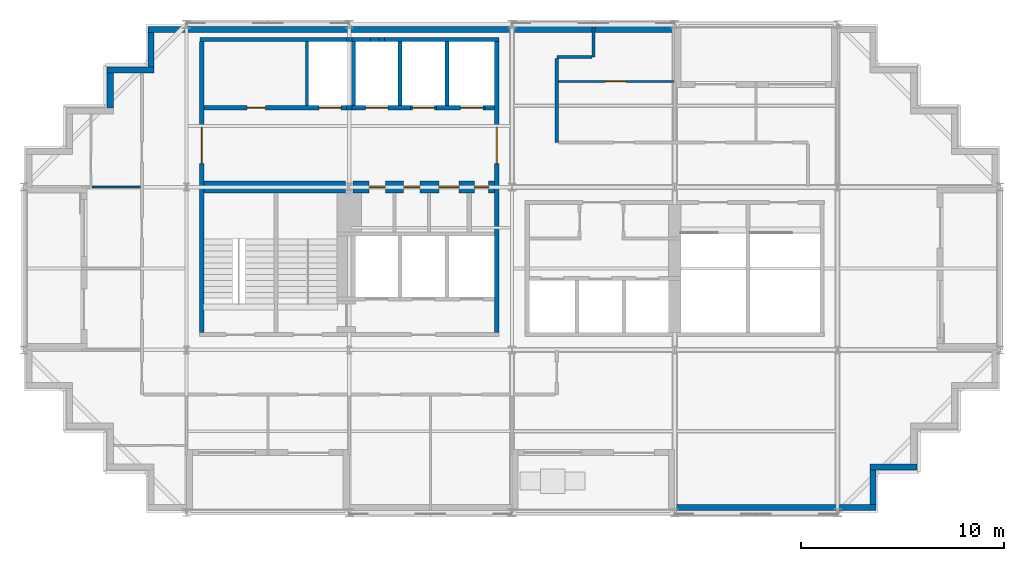
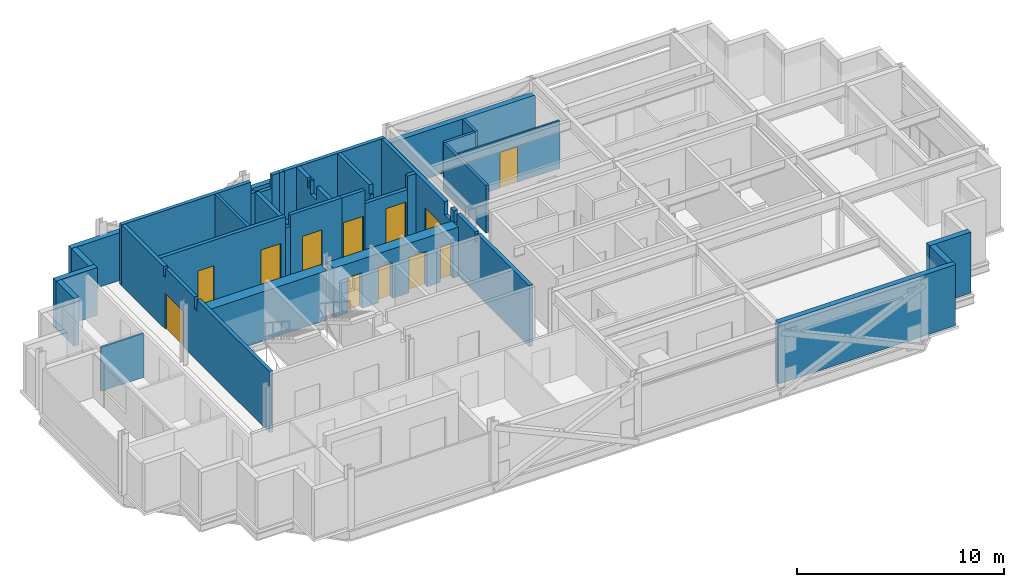
# One storey, part 6 of 10: 32 walls, 12 doors, 12 openings.
"""IFC4 building model written with IfcOpenShell, lengths in metres."""

from ifc_helpers import new_model, si_unit, direction, frame, frame_2d, origin, place, context, subcontext, project, spatial, polyline, rectangle, outline, extrude, material, layer, layer_set, type_object, element, fill, save


model = new_model("IFC4")

# Units and contexts
model_context = context("Model", 3, precision=1e-05, world=origin(), true_north=direction((0.0, 1.0)))
body_context = subcontext(model_context, "Body", "Model", "MODEL_VIEW")
ifc_project = project(units=[si_unit("LENGTHUNIT", "METRE"), si_unit("AREAUNIT", "SQUARE_METRE"), si_unit("VOLUMEUNIT", "CUBIC_METRE"), si_unit("PLANEANGLEUNIT", "RADIAN"), si_unit("MASSUNIT", "GRAM", prefix="KILO")], contexts=[model_context])

# Site, building, storey
site_placement = place(None, origin())
site = spatial("IfcSite", under=ifc_project, at=site_placement, CompositionType="ELEMENT")
building_placement = place(site_placement, origin())
building = spatial("IfcBuilding", under=site, at=building_placement, Name="Immortelle Media Tower", CompositionType="ELEMENT")
storey_placement = place(building_placement, frame((0.0, 0.0, 295.0)))
storey = spatial("IfcBuildingStorey", under=building, at=storey_placement, Name="L65", CompositionType="ELEMENT", Elevation=295.0)

# Wall, openings, doors
ifc_material_1 = material(Name="Fire-rated masonry blockwork", Category="masonry")
ifc_layer_1 = layer(ifc_material_1, 0.60009765625)
ifc_layer_set_1 = layer_set([ifc_layer_1], Name="Fire-rated masonry blockwork")
wall_type_1 = type_object("IfcWallType", Name="Core grid-line wall 600", PredefinedType="PARTITIONING", material=ifc_layer_set_1)
wall_1_placement = place(storey_placement, frame((16.19140625, 16.0, 0.0), z_axis=(0.0, 0.0, 1.0), x_axis=(1.0, 0.0, 0.0)))
wall_1 = element("IfcWall", 1, at=wall_1_placement, inside=storey, type_object=wall_type_1, Name="Core grid-line wall SW", PredefinedType="PARTITIONING", context=body_context, shape_type="SweptSolid", body=[
    extrude(rectangle(XDim=6.95849609375, YDim=0.60009765625, at=frame_2d((3.479248046875, 0.0))), origin(), (0.0, 0.0, 1.0), 2.916015625),
])
opening_1_placement = place(wall_1_placement, frame((1.58349609375, 0.0, 0.0), z_axis=(0.0, 0.0, 1.0), x_axis=(-1.0, 0.0, 0.0)))
opening_1 = element("IfcOpeningElement", 2, at=opening_1_placement, cuts=wall_1, Name="Opening X6-K027", PredefinedType="OPENING", context=body_context, shape_type="SweptSolid", body=[
    extrude(rectangle(XDim=0.800048828125, YDim=2.10009765625, at=frame_2d((0.39990234375, 1.050048828125))), frame((0.0, 0.31005859375, 0.0), z_axis=(0.0, -1.0, 0.0), x_axis=(1.0, 0.0, 0.0)), (0.0, 0.0, 1.0), 0.6201171875),
])
opening_2_placement = place(wall_1_placement, frame((3.283447265625, 0.0, 0.0), z_axis=(0.0, 0.0, 1.0), x_axis=(-1.0, 0.0, 0.0)))
opening_2 = element("IfcOpeningElement", 3, at=opening_2_placement, cuts=wall_1, Name="Opening X6-K028", PredefinedType="OPENING", context=body_context, shape_type="SweptSolid", body=[
    extrude(rectangle(XDim=0.800048828125, YDim=2.10009765625, at=frame_2d((0.39990234375, 1.050048828125))), frame((0.0, 0.31005859375, 0.0), z_axis=(0.0, -1.0, 0.0), x_axis=(1.0, 0.0, 0.0)), (0.0, 0.0, 1.0), 0.6201171875),
])
opening_3_placement = place(wall_1_placement, frame((5.20849609375, 0.0, 0.0), z_axis=(0.0, 0.0, 1.0), x_axis=(-1.0, 0.0, 0.0)))
opening_3 = element("IfcOpeningElement", 4, at=opening_3_placement, cuts=wall_1, Name="Opening X6-K029", PredefinedType="OPENING", context=body_context, shape_type="SweptSolid", body=[
    extrude(rectangle(XDim=1.0, YDim=2.10009765625, at=frame_2d((0.5, 1.050048828125))), frame((0.0, 0.31005859375, 0.0), z_axis=(0.0, -1.0, 0.0), x_axis=(1.0, 0.0, 0.0)), (0.0, 0.0, 1.0), 0.6201171875),
])
opening_4_placement = place(wall_1_placement, frame((6.658447265625, 0.0, 0.0), z_axis=(0.0, 0.0, 1.0), x_axis=(-1.0, 0.0, 0.0)))
opening_4 = element("IfcOpeningElement", 5, at=opening_4_placement, cuts=wall_1, Name="Opening X6-K018", PredefinedType="OPENING", context=body_context, shape_type="SweptSolid", body=[
    extrude(rectangle(XDim=0.699951171875, YDim=2.10009765625, at=frame_2d((0.35009765625, 1.050048828125))), frame((0.0, 0.31005859375, 0.0), z_axis=(0.0, -1.0, 0.0), x_axis=(1.0, 0.0, 0.0)), (0.0, 0.0, 1.0), 0.6201171875),
])
ifc_material_2 = material(Name="Timber", Category="wood")
door_type_1 = type_object("IfcDoorType", Name="Accessible toilet door 1000 x 2100", OperationType="NOTDEFINED", PredefinedType="NOTDEFINED", material=ifc_material_2)
door_1_placement = place(opening_3_placement, origin())
door_1 = element("IfcDoor", 6, at=door_1_placement, inside=storey, type_object=door_type_1, Name="Accessible toilet X6-K029", OperationType="SINGLE_SWING_RIGHT", OverallHeight=2.10009765625, OverallWidth=1.0, PredefinedType="NOTDEFINED", context=body_context, shape_type="SweptSolid", body=[
    extrude(rectangle(XDim=1.0, YDim=2.10009765625, at=frame_2d((0.5, 1.050048828125))), frame((0.0, 0.02490234375, 0.0), z_axis=(0.0, -1.0, 0.0), x_axis=(1.0, 0.0, 0.0)), (0.0, 0.0, 1.0), 0.050048828125),
])
fill(opening_3, door_1)
ifc_material_3 = material(Name="Galvanised steel door leaf and frame ASTM A653", Category="steel")
door_type_2 = type_object("IfcDoorType", Name="Service door 700 x 2100", OperationType="NOTDEFINED", PredefinedType="NOTDEFINED", material=ifc_material_3)
door_2_placement = place(opening_4_placement, origin())
door_2 = element("IfcDoor", 7, at=door_2_placement, inside=storey, type_object=door_type_2, Name="Service X6-K018", OperationType="SINGLE_SWING_LEFT", OverallHeight=2.10009765625, OverallWidth=0.699951171875, PredefinedType="NOTDEFINED", context=body_context, shape_type="SweptSolid", body=[
    extrude(rectangle(XDim=0.699951171875, YDim=2.10009765625, at=frame_2d((0.35009765625, 1.050048828125))), frame((0.0, 0.02490234375, 0.0), z_axis=(0.0, -1.0, 0.0), x_axis=(1.0, 0.0, 0.0)), (0.0, 0.0, 1.0), 0.050048828125),
])
fill(opening_4, door_2)
door_type_3 = type_object("IfcDoorType", Name="Toilet door 800 x 2100", OperationType="NOTDEFINED", PredefinedType="NOTDEFINED", material=ifc_material_2)
door_3_placement = place(opening_1_placement, origin())
door_3 = element("IfcDoor", 8, at=door_3_placement, inside=storey, type_object=door_type_3, Name="Toilet X6-K027", OperationType="SINGLE_SWING_LEFT", OverallHeight=2.10009765625, OverallWidth=0.800048828125, PredefinedType="NOTDEFINED", context=body_context, shape_type="SweptSolid", body=[
    extrude(rectangle(XDim=0.800048828125, YDim=2.10009765625, at=frame_2d((0.39990234375, 1.050048828125))), frame((0.0, 0.02490234375, 0.0), z_axis=(0.0, -1.0, 0.0), x_axis=(1.0, 0.0, 0.0)), (0.0, 0.0, 1.0), 0.050048828125),
])
fill(opening_1, door_3)
door_4_placement = place(opening_2_placement, origin())
door_4 = element("IfcDoor", 9, at=door_4_placement, inside=storey, type_object=door_type_3, Name="Toilet X6-K028", OperationType="SINGLE_SWING_LEFT", OverallHeight=2.10009765625, OverallWidth=0.800048828125, PredefinedType="NOTDEFINED", context=body_context, shape_type="SweptSolid", body=[
    extrude(rectangle(XDim=0.800048828125, YDim=2.10009765625, at=frame_2d((0.39990234375, 1.050048828125))), frame((0.0, 0.02490234375, 0.0), z_axis=(0.0, -1.0, 0.0), x_axis=(1.0, 0.0, 0.0)), (0.0, 0.0, 1.0), 0.050048828125),
])
fill(opening_2, door_4)

# Walls
ifc_material_4 = material(Name="Fire-rated gypsum board", Category="gypsum")
ifc_layer_2 = layer(ifc_material_4, 0.02490234375)
ifc_material_5 = material(Name="Steel ASTM A653 SS Gr 50 stud frame with mineral wool", Category="steel")
ifc_layer_3 = layer(ifc_material_5, 0.10009765625)
ifc_layer_4 = layer(ifc_material_4, 0.02490234375)
ifc_layer_set_2 = layer_set([ifc_layer_2, ifc_layer_3, ifc_layer_4], Name="Steel ASTM A653 SS Gr 50 stud frame with mineral wool")
wall_type_2 = type_object("IfcWallType", Name="Core partition 150", PredefinedType="PARTITIONING", material=ifc_layer_set_2)
wall_2_placement = place(storey_placement, frame((13.925048828125, 20.0, 0.0), z_axis=(0.0, 0.0, 1.0), x_axis=(0.0, 1.0, 0.0)))
element("IfcWall", 10, at=wall_2_placement, inside=storey, type_object=wall_type_2, Name="Core partition SW", PredefinedType="PARTITIONING", context=body_context, shape_type="SweptSolid", body=[
    extrude(rectangle(XDim=3.14990234375, YDim=0.14990234375, at=frame_2d((1.574951171875, 0.0))), origin(), (0.0, 0.0, 1.0), 3.60009765625),
])
ifc_layer_5 = layer(ifc_material_4, 0.03759765625)
ifc_layer_6 = layer(ifc_material_5, 0.125)
ifc_layer_7 = layer(ifc_material_4, 0.03759765625)
ifc_layer_set_3 = layer_set([ifc_layer_5, ifc_layer_6, ifc_layer_7], Name="Steel ASTM A653 SS Gr 50 stud frame with mineral wool")
wall_type_3 = type_object("IfcWallType", Name="Core shaft wall 200", PredefinedType="PARTITIONING", material=ifc_layer_set_3)
wall_3_placement = place(storey_placement, frame((8.64990234375, 23.25, 0.0), z_axis=(0.0, 0.0, 1.0), x_axis=(1.0, 0.0, 0.0)))
element("IfcWall", 11, at=wall_3_placement, inside=storey, type_object=wall_type_3, Name="Core shaft wall SW", PredefinedType="PARTITIONING", context=body_context, shape_type="SweptSolid", body=[
    extrude(rectangle(XDim=7.219482421875, YDim=0.199951171875, at=frame_2d((3.60986328125, 0.0))), origin(), (0.0, 0.0, 1.0), 3.60009765625),
])
wall_4_placement = place(storey_placement, frame((15.869384765625, 23.25, 0.0), z_axis=(0.0, 0.0, 1.0), x_axis=(1.0, 0.0, 0.0)))
element("IfcWall", 12, at=wall_4_placement, inside=storey, type_object=wall_type_3, Name="Core shaft wall SW", PredefinedType="PARTITIONING", context=body_context, shape_type="SweptSolid", body=[
    extrude(rectangle(XDim=0.26123046875, YDim=0.199951171875, at=frame_2d((0.130615234375, 0.0))), origin(), (0.0, 0.0, 1.0), 2.916015625),
])
wall_5_placement = place(storey_placement, frame((16.130615234375, 23.25, 0.0), z_axis=(0.0, 0.0, 1.0), x_axis=(1.0, 0.0, 0.0)))
element("IfcWall", 13, at=wall_5_placement, inside=storey, type_object=wall_type_3, Name="Core shaft wall SW", PredefinedType="PARTITIONING", context=body_context, shape_type="SweptSolid", body=[
    extrude(rectangle(XDim=0.909423828125, YDim=0.199951171875, at=frame_2d((0.45458984375, 0.0))), origin(), (0.0, 0.0, 1.0), 2.81396484375),
])
wall_6_placement = place(storey_placement, frame((17.0400390625, 23.25, 0.0), z_axis=(0.0, 0.0, 1.0), x_axis=(1.0, 0.0, 0.0)))
element("IfcWall", 14, at=wall_6_placement, inside=storey, type_object=wall_type_3, Name="Core shaft wall SW", PredefinedType="PARTITIONING", context=body_context, shape_type="SweptSolid", body=[
    extrude(rectangle(XDim=0.430908203125, YDim=0.199951171875, at=frame_2d((0.21533203125, 0.0))), origin(), (0.0, 0.0, 1.0), 3.60009765625),
])
wall_7_placement = place(storey_placement, frame((17.470947265625, 23.25, 0.0), z_axis=(0.0, 0.0, 1.0), x_axis=(1.0, 0.0, 0.0)))
element("IfcWall", 15, at=wall_7_placement, inside=storey, type_object=wall_type_3, Name="Core shaft wall SW", PredefinedType="PARTITIONING", context=body_context, shape_type="SweptSolid", body=[
    extrude(rectangle(XDim=0.258056640625, YDim=0.199951171875, at=frame_2d((0.12890625, 0.0))), origin(), (0.0, 0.0, 1.0), 3.60009765625),
])
wall_8_placement = place(storey_placement, frame((17.72900390625, 23.25, 0.0), z_axis=(0.0, 0.0, 1.0), x_axis=(1.0, 0.0, 0.0)))
element("IfcWall", 16, at=wall_8_placement, inside=storey, type_object=wall_type_3, Name="Core shaft wall SW", PredefinedType="PARTITIONING", context=body_context, shape_type="SweptSolid", body=[
    extrude(rectangle(XDim=5.62109375, YDim=0.199951171875, at=frame_2d((2.810546875, 0.0))), origin(), (0.0, 0.0, 1.0), 3.60009765625),
])

# Wall, openings, doors
wall_9_placement = place(storey_placement, frame((8.85009765625, 19.89990234375, 0.0), z_axis=(0.0, 0.0, 1.0), x_axis=(1.0, 0.0, 0.0)))
wall_9 = element("IfcWall", 17, at=wall_9_placement, inside=storey, type_object=wall_type_3, Name="Core shaft wall SW", PredefinedType="PARTITIONING", context=body_context, shape_type="SweptSolid", body=[
    extrude(rectangle(XDim=7.019287109375, YDim=0.199951171875, at=frame_2d((3.509765625, 0.0))), origin(), (0.0, 0.0, 1.0), 3.60009765625),
])
opening_5_placement = place(wall_9_placement, frame((2.125, 0.0, 0.0)))
opening_5 = element("IfcOpeningElement", 18, at=opening_5_placement, cuts=wall_9, Name="Opening X6-K003", PredefinedType="OPENING", context=body_context, shape_type="SweptSolid", body=[
    extrude(rectangle(XDim=0.89990234375, YDim=2.10009765625, at=frame_2d((0.449951171875, 1.050048828125))), frame((0.0, 0.10986328125, 0.0), z_axis=(0.0, -1.0, 0.0), x_axis=(1.0, 0.0, 0.0)), (0.0, 0.0, 1.0), 0.219970703125),
])
opening_6_placement = place(wall_9_placement, frame((5.64990234375, 0.0, 0.0)))
opening_6 = element("IfcOpeningElement", 19, at=opening_6_placement, cuts=wall_9, Name="Opening LD", PredefinedType="OPENING", context=body_context, shape_type="SweptSolid", body=[
    extrude(rectangle(XDim=1.10009765625, YDim=2.10009765625, at=frame_2d((0.550048828125, 1.050048828125))), frame((0.0, 0.10986328125, 0.0), z_axis=(0.0, -1.0, 0.0), x_axis=(1.0, 0.0, 0.0)), (0.0, 0.0, 1.0), 0.219970703125),
])
ifc_material_6 = material(Name="Stainless steel AISI 304", Category="steel")
door_type_4 = type_object("IfcDoorType", Name="Landing door 1100 x 2100", OperationType="SLIDING_TO_LEFT", PredefinedType="NOTDEFINED", material=ifc_material_6)
door_5_placement = place(opening_6_placement, origin())
door_5 = element("IfcDoor", 20, at=door_5_placement, inside=storey, type_object=door_type_4, Name="Landing door HR1 L65", OperationType="SLIDING_TO_LEFT", OverallHeight=2.10009765625, OverallWidth=1.10009765625, PredefinedType="NOTDEFINED", context=body_context, shape_type="SweptSolid", body=[
    extrude(rectangle(XDim=1.10009765625, YDim=2.10009765625, at=frame_2d((0.550048828125, 1.050048828125))), frame((0.0, 0.02490234375, 0.0), z_axis=(0.0, -1.0, 0.0), x_axis=(1.0, 0.0, 0.0)), (0.0, 0.0, 1.0), 0.050048828125),
])
fill(opening_6, door_5)
door_type_5 = type_object("IfcDoorType", Name="Room door 900 x 2100", OperationType="NOTDEFINED", PredefinedType="NOTDEFINED", material=ifc_material_2)
door_6_placement = place(opening_5_placement, origin())
door_6 = element("IfcDoor", 21, at=door_6_placement, inside=storey, type_object=door_type_5, Name="Room X6-K003", OperationType="SINGLE_SWING_RIGHT", OverallHeight=2.10009765625, OverallWidth=0.89990234375, PredefinedType="NOTDEFINED", context=body_context, shape_type="SweptSolid", body=[
    extrude(rectangle(XDim=0.89990234375, YDim=2.10009765625, at=frame_2d((0.449951171875, 1.050048828125))), frame((0.0, 0.02490234375, 0.0), z_axis=(0.0, -1.0, 0.0), x_axis=(1.0, 0.0, 0.0)), (0.0, 0.0, 1.0), 0.050048828125),
])
fill(opening_5, door_6)

# Wall
wall_10_placement = place(storey_placement, frame((15.869384765625, 19.89990234375, 0.0), z_axis=(0.0, 0.0, 1.0), x_axis=(1.0, 0.0, 0.0)))
element("IfcWall", 22, at=wall_10_placement, inside=storey, type_object=wall_type_3, Name="Core shaft wall SW", PredefinedType="PARTITIONING", context=body_context, shape_type="SweptSolid", body=[
    extrude(rectangle(XDim=0.26123046875, YDim=0.199951171875, at=frame_2d((0.130615234375, 0.0))), origin(), (0.0, 0.0, 1.0), 2.916015625),
])

# Wall, opening, door
wall_11_placement = place(storey_placement, frame((16.130615234375, 19.89990234375, 0.0), z_axis=(0.0, 0.0, 1.0), x_axis=(1.0, 0.0, 0.0)))
wall_11 = element("IfcWall", 23, at=wall_11_placement, inside=storey, type_object=wall_type_3, Name="Core shaft wall SW", PredefinedType="PARTITIONING", context=body_context, shape_type="SweptSolid", body=[
    extrude(rectangle(XDim=2.869384765625, YDim=0.199951171875, at=frame_2d((1.4345703125, 0.0))), origin(), (0.0, 0.0, 1.0), 3.60009765625),
])
opening_7_placement = place(wall_11_placement, frame((0.66943359375, 0.0, 0.0)))
opening_7 = element("IfcOpeningElement", 24, at=opening_7_placement, cuts=wall_11, Name="Opening LD", PredefinedType="OPENING", context=body_context, shape_type="SweptSolid", body=[
    extrude(rectangle(XDim=1.10009765625, YDim=2.10009765625, at=frame_2d((0.550048828125, 1.050048828125))), frame((0.0, 0.10986328125, 0.0), z_axis=(0.0, -1.0, 0.0), x_axis=(1.0, 0.0, 0.0)), (0.0, 0.0, 1.0), 0.219970703125),
])
door_7_placement = place(opening_7_placement, origin())
door_7 = element("IfcDoor", 25, at=door_7_placement, inside=storey, type_object=door_type_4, Name="Landing door HR2 L65", OperationType="SLIDING_TO_LEFT", OverallHeight=2.10009765625, OverallWidth=1.10009765625, PredefinedType="NOTDEFINED", context=body_context, shape_type="SweptSolid", body=[
    extrude(rectangle(XDim=1.10009765625, YDim=2.10009765625, at=frame_2d((0.550048828125, 1.050048828125))), frame((0.0, 0.02490234375, 0.0), z_axis=(0.0, -1.0, 0.0), x_axis=(1.0, 0.0, 0.0)), (0.0, 0.0, 1.0), 0.050048828125),
])
fill(opening_7, door_7)

wall_12_placement = place(storey_placement, frame((19.0, 19.89990234375, 0.0), z_axis=(0.0, 0.0, 1.0), x_axis=(1.0, 0.0, 0.0)))
wall_12 = element("IfcWall", 26, at=wall_12_placement, inside=storey, type_object=wall_type_3, Name="Core shaft wall SW", PredefinedType="PARTITIONING", context=body_context, shape_type="SweptSolid", body=[
    extrude(rectangle(XDim=1.300048828125, YDim=0.199951171875, at=frame_2d((0.64990234375, 0.0))), origin(), (0.0, 0.0, 1.0), 3.60009765625),
])
opening_8_placement = place(wall_12_placement, frame((0.10009765625, 0.0, 0.0)))
opening_8 = element("IfcOpeningElement", 27, at=opening_8_placement, cuts=wall_12, Name="Opening LD", PredefinedType="OPENING", context=body_context, shape_type="SweptSolid", body=[
    extrude(rectangle(XDim=1.10009765625, YDim=2.10009765625, at=frame_2d((0.550048828125, 1.050048828125))), frame((0.0, 0.10986328125, 0.0), z_axis=(0.0, -1.0, 0.0), x_axis=(1.0, 0.0, 0.0)), (0.0, 0.0, 1.0), 0.219970703125),
])
door_8_placement = place(opening_8_placement, origin())
door_8 = element("IfcDoor", 28, at=door_8_placement, inside=storey, type_object=door_type_4, Name="Landing door HR3 L65", OperationType="SLIDING_TO_LEFT", OverallHeight=2.10009765625, OverallWidth=1.10009765625, PredefinedType="NOTDEFINED", context=body_context, shape_type="SweptSolid", body=[
    extrude(rectangle(XDim=1.10009765625, YDim=2.10009765625, at=frame_2d((0.550048828125, 1.050048828125))), frame((0.0, 0.02490234375, 0.0), z_axis=(0.0, -1.0, 0.0), x_axis=(1.0, 0.0, 0.0)), (0.0, 0.0, 1.0), 0.050048828125),
])
fill(opening_8, door_8)

wall_13_placement = place(storey_placement, frame((20.300048828125, 19.89990234375, 0.0), z_axis=(0.0, 0.0, 1.0), x_axis=(1.0, 0.0, 0.0)))
wall_13 = element("IfcWall", 29, at=wall_13_placement, inside=storey, type_object=wall_type_3, Name="Core shaft wall SW", PredefinedType="PARTITIONING", context=body_context, shape_type="SweptSolid", body=[
    extrude(rectangle(XDim=2.375, YDim=0.199951171875, at=frame_2d((1.1875, 0.0))), origin(), (0.0, 0.0, 1.0), 2.81396484375),
])
opening_9_placement = place(wall_13_placement, frame((1.175048828125, 0.0, 0.0)))
opening_9 = element("IfcOpeningElement", 30, at=opening_9_placement, cuts=wall_13, Name="Opening LD", PredefinedType="OPENING", context=body_context, shape_type="SweptSolid", body=[
    extrude(rectangle(XDim=1.10009765625, YDim=2.10009765625, at=frame_2d((0.550048828125, 1.050048828125))), frame((0.0, 0.10986328125, 0.0), z_axis=(0.0, -1.0, 0.0), x_axis=(1.0, 0.0, 0.0)), (0.0, 0.0, 1.0), 0.219970703125),
])
door_9_placement = place(opening_9_placement, origin())
door_9 = element("IfcDoor", 31, at=door_9_placement, inside=storey, type_object=door_type_4, Name="Landing door HR4 L65", OperationType="SLIDING_TO_LEFT", OverallHeight=2.10009765625, OverallWidth=1.10009765625, PredefinedType="NOTDEFINED", context=body_context, shape_type="SweptSolid", body=[
    extrude(rectangle(XDim=1.10009765625, YDim=2.10009765625, at=frame_2d((0.550048828125, 1.050048828125))), frame((0.0, 0.02490234375, 0.0), z_axis=(0.0, -1.0, 0.0), x_axis=(1.0, 0.0, 0.0)), (0.0, 0.0, 1.0), 0.050048828125),
])
fill(opening_9, door_9)

# Walls
wall_14_placement = place(storey_placement, frame((22.675048828125, 19.89990234375, 0.0), z_axis=(0.0, 0.0, 1.0), x_axis=(1.0, 0.0, 0.0)))
element("IfcWall", 32, at=wall_14_placement, inside=storey, type_object=wall_type_3, Name="Core shaft wall SW", PredefinedType="PARTITIONING", context=body_context, shape_type="SweptSolid", body=[
    extrude(rectangle(XDim=0.474853515625, YDim=0.199951171875, at=frame_2d((0.2373046875, 0.0))), origin(), (0.0, 0.0, 1.0), 3.60009765625),
])
wall_15_placement = place(storey_placement, frame((16.199951171875, 20.0, 0.0), z_axis=(0.0, 0.0, 1.0), x_axis=(0.0, 1.0, 0.0)))
element("IfcWall", 33, at=wall_15_placement, inside=storey, type_object=wall_type_3, Name="Core shaft wall SW", PredefinedType="PARTITIONING", context=body_context, shape_type="SweptSolid", body=[
    extrude(rectangle(XDim=3.14990234375, YDim=0.199951171875, at=frame_2d((1.574951171875, 0.0))), origin(), (0.0, 0.0, 1.0), 2.916015625),
])
wall_16_placement = place(storey_placement, frame((18.5, 20.0, 0.0), z_axis=(0.0, 0.0, 1.0), x_axis=(0.0, 1.0, 0.0)))
element("IfcWall", 34, at=wall_16_placement, inside=storey, type_object=wall_type_3, Name="Core shaft wall SW", PredefinedType="PARTITIONING", context=body_context, shape_type="SweptSolid", body=[
    extrude(outline(polyline([(0.0, 0.0), (3.14990234375, 0.0), (3.14990234375, 3.60009765625), (2.08837890625, 3.60009765625), (2.08740234375, 3.05810546875), (1.91259765625, 3.05810546875), (1.91162109375, 3.60009765625), (1.791015625, 3.60009765625), (1.7900390625, 2.81396484375), (1.2099609375, 2.81396484375), (1.208984375, 3.60009765625), (0.0, 3.60009765625), (0.0, 0.0)])), frame((0.0, 0.10009765625, 0.0), z_axis=(0.0, -1.0, 0.0), x_axis=(1.0, 0.0, 0.0)), (0.0, 0.0, 1.0), 0.199951171875),
])
wall_17_placement = place(storey_placement, frame((20.800048828125, 20.0, 0.0), z_axis=(0.0, 0.0, 1.0), x_axis=(0.0, 1.0, 0.0)))
element("IfcWall", 35, at=wall_17_placement, inside=storey, type_object=wall_type_3, Name="Core shaft wall SW", PredefinedType="PARTITIONING", context=body_context, shape_type="SweptSolid", body=[
    extrude(outline(polyline([(0.0, 0.0), (3.14990234375, 0.0), (3.14990234375, 3.60009765625), (0.08837890625, 3.60009765625), (0.08740234375, 3.05810546875), (0.0, 3.05810546875), (0.0, 0.0)])), frame((0.0, 0.10009765625, 0.0), z_axis=(0.0, -1.0, 0.0), x_axis=(1.0, 0.0, 0.0)), (0.0, 0.0, 1.0), 0.199951171875),
])

# Wall, opening, door
wall_18_placement = place(storey_placement, frame((23.25, 8.85009765625, 0.0), z_axis=(0.0, 0.0, 1.0), x_axis=(0.0, 1.0, 0.0)))
wall_18 = element("IfcWall", 36, at=wall_18_placement, inside=storey, type_object=wall_type_3, Name="Core shaft wall SW", PredefinedType="PARTITIONING", context=body_context, shape_type="SweptSolid", body=[
    extrude(outline(polyline([(0.0, 0.0), (14.2998046875, 0.0), (14.300048828125, 3.60009765625), (8.19091796875, 3.60009765625), (8.18994140625, 2.81396484375), (7.610107421875, 2.81396484375), (7.609130859375, 3.60009765625), (7.281494140625, 3.60009765625), (7.280517578125, 2.916015625), (7.01953125, 2.916015625), (7.0185546875, 3.60009765625), (5.238525390625, 3.60009765625), (5.237548828125, 3.05810546875), (5.0625, 3.05810546875), (5.0615234375, 3.60009765625), (0.0, 3.60009765625), (0.0, 0.0)])), frame((0.0, 0.10009765625, 0.0), z_axis=(0.0, -1.0, 0.0), x_axis=(1.0, 0.0, 0.0)), (0.0, 0.0, 1.0), 0.199951171875),
])
opening_10_placement = place(wall_18_placement, frame((8.300048828125, 0.0, 0.0)))
opening_10 = element("IfcOpeningElement", 37, at=opening_10_placement, cuts=wall_18, Name="Opening X6-K019", PredefinedType="OPENING", context=body_context, shape_type="SweptSolid", body=[
    extrude(rectangle(XDim=1.800048828125, YDim=2.10009765625, at=frame_2d((0.89990234375, 1.050048828125))), frame((0.0, 0.10986328125, 0.0), z_axis=(0.0, -1.0, 0.0), x_axis=(1.0, 0.0, 0.0)), (0.0, 0.0, 1.0), 0.219970703125),
])
door_type_6 = type_object("IfcDoorType", Name="Lift lobby door 1800 x 2100", OperationType="DOUBLE_DOOR_SINGLE_SWING", PredefinedType="NOTDEFINED", material=ifc_material_3)
door_10_placement = place(opening_10_placement, origin())
door_10 = element("IfcDoor", 38, at=door_10_placement, inside=storey, type_object=door_type_6, Name="Lift lobby X6-K019", OperationType="DOUBLE_DOOR_SINGLE_SWING", OverallHeight=2.10009765625, OverallWidth=1.800048828125, PredefinedType="NOTDEFINED", context=body_context, shape_type="SweptSolid", body=[
    extrude(rectangle(XDim=1.800048828125, YDim=2.10009765625, at=frame_2d((0.89990234375, 1.050048828125))), frame((0.0, 0.02490234375, 0.0), z_axis=(0.0, -1.0, 0.0), x_axis=(1.0, 0.0, 0.0)), (0.0, 0.0, 1.0), 0.050048828125),
])
fill(opening_10, door_10)

# Walls
ifc_layer_8 = layer(ifc_material_4, 0.012451171875)
ifc_layer_9 = layer(ifc_material_5, 0.125)
ifc_layer_10 = layer(ifc_material_4, 0.012451171875)
ifc_layer_set_4 = layer_set([ifc_layer_8, ifc_layer_9, ifc_layer_10], Name="Steel ASTM A653 SS Gr 50 stud frame with mineral wool")
wall_type_4 = type_object("IfcWallType", Name="Corridor wall 150", PredefinedType="PARTITIONING", material=ifc_layer_set_4)
wall_19_placement = place(storey_placement, frame((26.199951171875, 18.199951171875, 0.0), z_axis=(0.0, 0.0, 1.0), x_axis=(0.0, 1.0, 0.0)))
element("IfcWall", 39, at=wall_19_placement, inside=storey, type_object=wall_type_4, Name="Partition L65-019", PredefinedType="PARTITIONING", context=body_context, shape_type="SweptSolid", body=[
    extrude(rectangle(XDim=4.125, YDim=0.14990234375, at=frame_2d((2.0625, 0.0))), origin(), (0.0, 0.0, 1.0), 2.81396484375),
])
wall_20_placement = place(storey_placement, frame((26.199951171875, 22.39990234375, 0.0), z_axis=(0.0, 0.0, 1.0), x_axis=(1.0, 0.0, 0.0)))
element("IfcWall", 40, at=wall_20_placement, inside=storey, type_object=wall_type_4, Name="Partition L65-023", PredefinedType="PARTITIONING", context=body_context, shape_type="SweptSolid", body=[
    extrude(rectangle(XDim=1.72509765625, YDim=0.14990234375, at=frame_2d((0.862548828125, 0.0))), origin(), (0.0, 0.0, 1.0), 2.81396484375),
])
wall_21_placement = place(storey_placement, frame((28.0, 22.39990234375, 0.0), z_axis=(0.0, 0.0, 1.0), x_axis=(0.0, 1.0, 0.0)))
element("IfcWall", 41, at=wall_21_placement, inside=storey, type_object=wall_type_4, Name="Partition L65-024", PredefinedType="PARTITIONING", context=body_context, shape_type="SweptSolid", body=[
    extrude(rectangle(XDim=1.47021484375, YDim=0.14990234375, at=frame_2d((0.735107421875, 0.0))), origin(), (0.0, 0.0, 1.0), 2.81396484375),
])
ifc_material_7 = material(Name="Pale aluminium cladding panel", Category="aluminium")
ifc_layer_11 = layer(ifc_material_7, 0.030029296875)
ifc_layer_12 = layer(ifc_material_5, 0.257568359375)
ifc_material_8 = material(Name="Moisture-resistant gypsum board", Category="gypsum")
ifc_layer_13 = layer(ifc_material_8, 0.012451171875)
ifc_layer_set_5 = layer_set([ifc_layer_11, ifc_layer_12, ifc_layer_13], Name="Steel ASTM A653 SS Gr 50 stud frame with mineral wool")
wall_type_5 = type_object("IfcWallType", Name="Facade wall 300", PredefinedType="SOLIDWALL", material=ifc_layer_set_5)
wall_22_placement = place(storey_placement, frame((32.0, 0.25, 0.0), z_axis=(0.0, 0.0, 1.0), x_axis=(1.0, 0.0, 0.0)))
element("IfcWall", 42, at=wall_22_placement, inside=storey, type_object=wall_type_5, Name="Facade wall L65 S6", PredefinedType="SOLIDWALL", context=body_context, shape_type="SweptSolid", body=[
    extrude(rectangle(XDim=9.89990234375, YDim=0.300048828125, at=frame_2d((4.949951171875, 0.0))), origin(), (0.0, 0.0, 1.0), 3.60009765625),
])
wall_23_placement = place(storey_placement, frame((41.75, 0.39990234375, 0.0), z_axis=(0.0, 0.0, 1.0), x_axis=(0.0, 1.0, 0.0)))
element("IfcWall", 43, at=wall_23_placement, inside=storey, type_object=wall_type_5, Name="Facade wall L65 E7", PredefinedType="SOLIDWALL", context=body_context, shape_type="SweptSolid", body=[
    extrude(rectangle(XDim=1.7001953125, YDim=0.300048828125, at=frame_2d((0.85009765625, 0.0))), origin(), (0.0, 0.0, 1.0), 3.60009765625),
])
wall_24_placement = place(storey_placement, frame((41.60009765625, 2.25, 0.0), z_axis=(0.0, 0.0, 1.0), x_axis=(1.0, 0.0, 0.0)))
element("IfcWall", 44, at=wall_24_placement, inside=storey, type_object=wall_type_5, Name="Facade wall L65 S8", PredefinedType="SOLIDWALL", context=body_context, shape_type="SweptSolid", body=[
    extrude(rectangle(XDim=2.2998046875, YDim=0.300048828125, at=frame_2d((1.14990234375, 0.0))), origin(), (0.0, 0.0, 1.0), 3.60009765625),
])
wall_25_placement = place(storey_placement, frame((32.0, 23.75, 0.0), z_axis=(0.0, 0.0, 1.0), x_axis=(-1.0, 0.0, 0.0)))
element("IfcWall", 45, at=wall_25_placement, inside=storey, type_object=wall_type_5, Name="Facade wall L65 N20", PredefinedType="SOLIDWALL", context=body_context, shape_type="SweptSolid", body=[
    extrude(rectangle(XDim=25.89990234375, YDim=0.300048828125, at=frame_2d((12.949951171875, 0.0))), origin(), (0.0, 0.0, 1.0), 2.819091796875),
])
wall_26_placement = place(storey_placement, frame((6.25, 23.60009765625, 0.0), z_axis=(0.0, 0.0, 1.0), x_axis=(0.0, -1.0, 0.0)))
element("IfcWall", 46, at=wall_26_placement, inside=storey, type_object=wall_type_5, Name="Facade wall L65 W21", PredefinedType="SOLIDWALL", context=body_context, shape_type="SweptSolid", body=[
    extrude(rectangle(XDim=1.7001953125, YDim=0.300048828125, at=frame_2d((0.85009765625, 0.0))), origin(), (0.0, 0.0, 1.0), 2.819091796875),
])
wall_27_placement = place(storey_placement, frame((6.39990234375, 21.75, 0.0), z_axis=(0.0, 0.0, 1.0), x_axis=(-1.0, 0.0, 0.0)))
element("IfcWall", 47, at=wall_27_placement, inside=storey, type_object=wall_type_5, Name="Facade wall L65 N22", PredefinedType="SOLIDWALL", context=body_context, shape_type="SweptSolid", body=[
    extrude(rectangle(XDim=2.2998046875, YDim=0.300048828125, at=frame_2d((1.14990234375, 0.0))), origin(), (0.0, 0.0, 1.0), 2.819091796875),
])
wall_28_placement = place(storey_placement, frame((4.25, 21.60009765625, 0.0), z_axis=(0.0, 0.0, 1.0), x_axis=(0.0, -1.0, 0.0)))
element("IfcWall", 48, at=wall_28_placement, inside=storey, type_object=wall_type_5, Name="Facade wall L65 W23", PredefinedType="SOLIDWALL", context=body_context, shape_type="SweptSolid", body=[
    extrude(rectangle(XDim=1.7001953125, YDim=0.300048828125, at=frame_2d((0.85009765625, 0.0))), origin(), (0.0, 0.0, 1.0), 2.819091796875),
])
ifc_material_9 = material(Name="Gypsum board", Category="gypsum")
ifc_layer_14 = layer(ifc_material_9, 0.012451171875)
ifc_layer_15 = layer(ifc_material_5, 0.074951171875)
ifc_layer_16 = layer(ifc_material_9, 0.012451171875)
ifc_layer_set_6 = layer_set([ifc_layer_14, ifc_layer_15, ifc_layer_16], Name="Steel ASTM A653 SS Gr 50 stud frame with mineral wool")
wall_type_6 = type_object("IfcWallType", Name="Partition 100", PredefinedType="PARTITIONING", material=ifc_layer_set_6)
wall_29_placement = place(storey_placement, frame((3.35009765625, 16.0, 0.0), z_axis=(0.0, 0.0, 1.0), x_axis=(1.0, 0.0, 0.0)))
element("IfcWall", 49, at=wall_29_placement, inside=storey, type_object=wall_type_6, Name="Partition L65-014", PredefinedType="PARTITIONING", context=body_context, shape_type="SweptSolid", body=[
    extrude(rectangle(XDim=2.375, YDim=0.10009765625, at=frame_2d((1.1875, 0.0))), origin(), (0.0, 0.0, 1.0), 2.593994140625),
])

# Wall, opening, door
wall_30_placement = place(storey_placement, frame((26.27490234375, 21.199951171875, 0.0), z_axis=(0.0, 0.0, 1.0), x_axis=(1.0, 0.0, 0.0)))
wall_30 = element("IfcWall", 50, at=wall_30_placement, inside=storey, type_object=wall_type_6, Name="Partition L65-022", PredefinedType="PARTITIONING", context=body_context, shape_type="SweptSolid", body=[
    extrude(rectangle(XDim=5.695068359375, YDim=0.10009765625, at=frame_2d((2.84765625, 0.0))), origin(), (0.0, 0.0, 1.0), 2.81396484375),
])
opening_11_placement = place(wall_30_placement, frame((3.324951171875, 0.0, 0.0), z_axis=(0.0, 0.0, 1.0), x_axis=(-1.0, 0.0, 0.0)))
opening_11 = element("IfcOpeningElement", 51, at=opening_11_placement, cuts=wall_30, Name="Opening X6-F015", PredefinedType="OPENING", context=body_context, shape_type="SweptSolid", body=[
    extrude(rectangle(XDim=1.0, YDim=2.10009765625, at=frame_2d((0.5, 1.050048828125))), frame((0.0, 0.06005859375, 0.0), z_axis=(0.0, -1.0, 0.0), x_axis=(1.0, 0.0, 0.0)), (0.0, 0.0, 1.0), 0.1201171875),
])
ifc_material_10 = material(Name="Timber veneered door leaf, galvanised steel frame ASTM A653", Category="steel")
door_type_7 = type_object("IfcDoorType", Name="Room door 1000 x 2100", OperationType="NOTDEFINED", PredefinedType="DOOR", material=ifc_material_10)
door_11_placement = place(opening_11_placement, origin())
door_11 = element("IfcDoor", 52, at=door_11_placement, inside=storey, type_object=door_type_7, Name="Door X6-F015", OperationType="SINGLE_SWING_LEFT", OverallHeight=2.10009765625, OverallWidth=1.0, PredefinedType="DOOR", context=body_context, shape_type="SweptSolid", body=[
    extrude(rectangle(XDim=1.0, YDim=2.10009765625, at=frame_2d((0.5, 1.050048828125))), frame((0.0, 0.02490234375, 0.0), z_axis=(0.0, -1.0, 0.0), x_axis=(1.0, 0.0, 0.0)), (0.0, 0.0, 1.0), 0.050048828125),
])
fill(opening_11, door_11)

ifc_material_11 = material(Name="Concrete C60", Category="concrete")
ifc_layer_17 = layer(ifc_material_11, 0.199951171875)
ifc_layer_set_7 = layer_set([ifc_layer_17], Name="Concrete C60")
wall_type_7 = type_object("IfcWallType", Name="Stair shaft wall 200", PredefinedType="PARTITIONING", material=ifc_layer_set_7)
wall_31_placement = place(storey_placement, frame((8.75, 8.85009765625, 0.0), z_axis=(0.0, 0.0, 1.0), x_axis=(0.0, 1.0, 0.0)))
wall_31 = element("IfcWall", 53, at=wall_31_placement, inside=storey, type_object=wall_type_7, Name="Stair shaft wall SW", PredefinedType="PARTITIONING", context=body_context, shape_type="SweptSolid", body=[
    extrude(outline(polyline([(0.0, 0.0), (14.2998046875, 0.0), (14.300048828125, 3.60009765625), (10.238525390625, 3.60009765625), (10.237548828125, 3.05810546875), (10.0625, 3.05810546875), (10.0615234375, 3.60009765625), (7.281494140625, 3.60009765625), (7.280517578125, 2.916015625), (7.01953125, 2.916015625), (7.0185546875, 3.60009765625), (0.0, 3.60009765625), (0.0, 0.0)])), frame((0.0, 0.10009765625, 0.0), z_axis=(0.0, -1.0, 0.0), x_axis=(1.0, 0.0, 0.0)), (0.0, 0.0, 1.0), 0.199951171875),
])
opening_12_placement = place(wall_31_placement, frame((8.300048828125, 0.0, 0.0)))
opening_12 = element("IfcOpeningElement", 54, at=opening_12_placement, cuts=wall_31, Name="Opening X6-K001", PredefinedType="OPENING", context=body_context, shape_type="SweptSolid", body=[
    extrude(rectangle(XDim=1.800048828125, YDim=2.10009765625, at=frame_2d((0.89990234375, 1.050048828125))), frame((0.0, 0.10986328125, 0.0), z_axis=(0.0, -1.0, 0.0), x_axis=(1.0, 0.0, 0.0)), (0.0, 0.0, 1.0), 0.219970703125),
])
door_12_placement = place(opening_12_placement, origin())
door_12 = element("IfcDoor", 55, at=door_12_placement, inside=storey, type_object=door_type_6, Name="Lift lobby X6-K001", OperationType="DOUBLE_DOOR_SINGLE_SWING", OverallHeight=2.10009765625, OverallWidth=1.800048828125, PredefinedType="NOTDEFINED", context=body_context, shape_type="SweptSolid", body=[
    extrude(rectangle(XDim=1.800048828125, YDim=2.10009765625, at=frame_2d((0.89990234375, 1.050048828125))), frame((0.0, 0.02490234375, 0.0), z_axis=(0.0, -1.0, 0.0), x_axis=(1.0, 0.0, 0.0)), (0.0, 0.0, 1.0), 0.050048828125),
])
fill(opening_12, door_12)

# Wall
ifc_layer_18 = layer(ifc_material_11, 0.60009765625)
ifc_layer_set_8 = layer_set([ifc_layer_18], Name="Concrete C60")
wall_type_8 = type_object("IfcWallType", Name="Stair shaft wall 600", PredefinedType="PARTITIONING", material=ifc_layer_set_8)
wall_32_placement = place(storey_placement, frame((8.85009765625, 16.0, 0.0), z_axis=(0.0, 0.0, 1.0), x_axis=(1.0, 0.0, 0.0)))
element("IfcWall", 56, at=wall_32_placement, inside=storey, type_object=wall_type_8, Name="Stair shaft wall SW", PredefinedType="PARTITIONING", context=body_context, shape_type="SweptSolid", body=[
    extrude(rectangle(XDim=6.95849609375, YDim=0.60009765625, at=frame_2d((3.479248046875, 0.0))), origin(), (0.0, 0.0, 1.0), 2.916015625),
])

save(model, "model.ifc")
